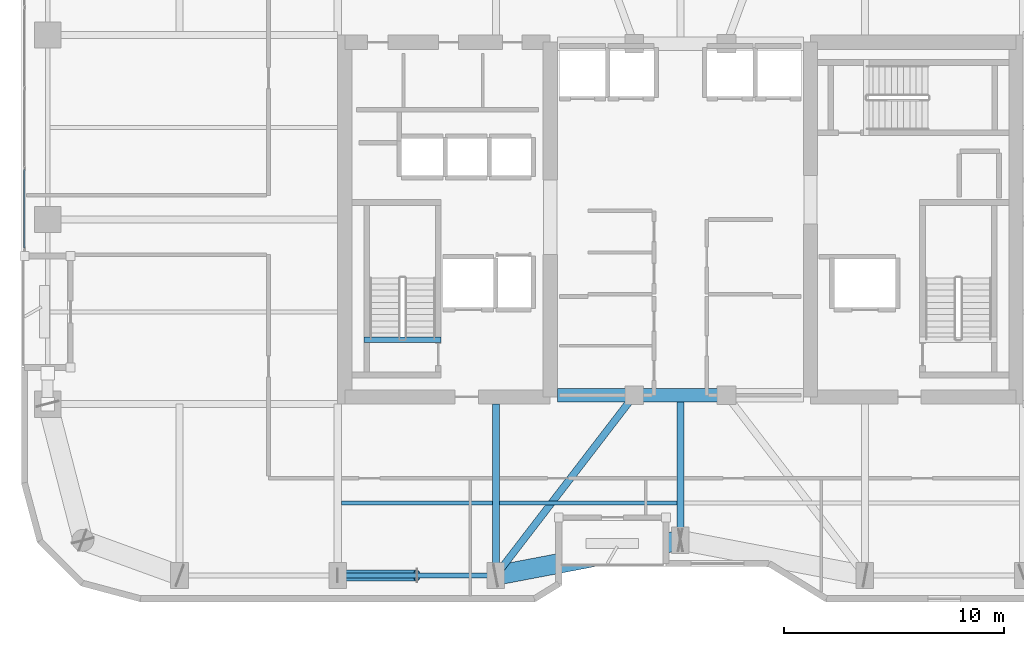
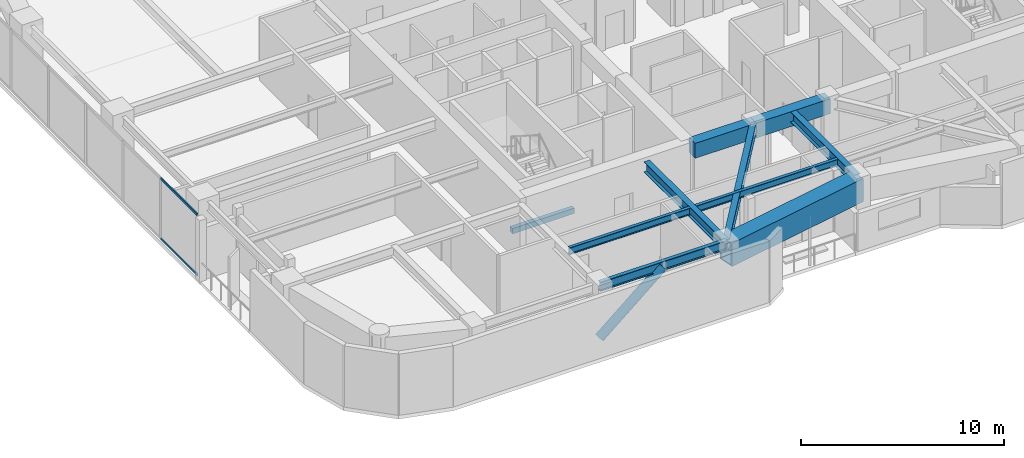
# One storey, part 3 of 30: 10 beams, 3 members, 1 element without a shape of its own.
"""IFC4 building model written with IfcOpenShell, lengths in metres."""

from ifc_helpers import new_model, si_unit, direction, frame, origin, origin_2d, place, context, subcontext, project, spatial, rectangle, hollow_rectangle, hollow_circle, i_section, extrude, material, layer, layer_set, material_profile, profile_set, type_object, element, aggregate, save


model = new_model("IFC4")

# Units and contexts
model_context = context("Model", 3, precision=1e-05, world=origin(), true_north=direction((0.0, 1.0)))
body_context = subcontext(model_context, "Body", "Model", "MODEL_VIEW")
ifc_project = project(units=[si_unit("LENGTHUNIT", "METRE"), si_unit("AREAUNIT", "SQUARE_METRE"), si_unit("VOLUMEUNIT", "CUBIC_METRE"), si_unit("PLANEANGLEUNIT", "RADIAN"), si_unit("MASSUNIT", "GRAM", prefix="KILO")], contexts=[model_context])

# Site, building, storey
site_placement = place(None, origin())
site = spatial("IfcSite", under=ifc_project, at=site_placement, CompositionType="ELEMENT")
building_placement = place(site_placement, origin())
building = spatial("IfcBuilding", under=site, at=building_placement, Name="Kiyonajd Concourse Tower", CompositionType="ELEMENT")
storey_placement = place(building_placement, frame((0.0, 0.0, 198.0)))
storey = spatial("IfcBuildingStorey", under=building, at=storey_placement, Name="L50", CompositionType="ELEMENT", Elevation=198.0)

# Beams
ifc_material_1 = material(Name="Concrete C60/75", Category="concrete")
ifc_material_profile_1 = material_profile(ifc_material_1, rectangle(XDim=0.60009765625, YDim=0.89990234375, at=origin_2d()), Name="RCBM-600x900")
ifc_profile_set_1 = profile_set([ifc_material_profile_1], Name="Concrete C60/75")
beam_type_1 = type_object("IfcBeamType", Name="BM-COUP-900", PredefinedType="LINTEL", material=ifc_profile_set_1)
beam_1_placement = place(storey_placement, frame((42.39990234375, 28.0, 3.22998046875), z_axis=(1.0, 0.0, 0.0), x_axis=(0.0, 1.0, 0.0)))
element("IfcBeam", 1, at=beam_1_placement, inside=storey, type_object=beam_type_1, Name="L50 Core Coupling Beam S1", PredefinedType="LINTEL", context=body_context, shape_type="SweptSolid", body=[
    extrude(rectangle(XDim=0.60009765625, YDim=0.89990234375, at=origin_2d()), origin(), (0.0, 0.0, 1.0), 3.5),
])
beam_2_placement = place(storey_placement, frame((45.89990234375, 28.0, 3.22998046875), z_axis=(1.0, 0.0, 0.0), x_axis=(0.0, 1.0, 0.0)))
element("IfcBeam", 2, at=beam_2_placement, inside=storey, type_object=beam_type_1, Name="L50 Core Coupling Beam S2", PredefinedType="LINTEL", context=body_context, shape_type="SweptSolid", body=[
    extrude(rectangle(XDim=0.60009765625, YDim=0.89990234375, at=origin_2d()), origin(), (0.0, 0.0, 1.0), 4.2001953125),
])
ifc_material_2 = material(Name="Steel ASTM A992 Grade 50", Category="steel")
ifc_material_profile_2 = material_profile(ifc_material_2, i_section(OverallWidth=0.180908203125, OverallDepth=0.4169921875, WebThickness=0.010986328125, FlangeThickness=0.018310546875, at=origin_2d()), Name="W410X85")
ifc_profile_set_2 = profile_set([ifc_material_profile_2], Name="Steel ASTM A992 Grade 50")
beam_type_2 = type_object("IfcBeamType", Name="BM-JST-410", PredefinedType="JOIST", material=ifc_profile_set_2)
beam_3_placement = place(storey_placement, frame((32.5634765625, 23.10009765625, 3.471435546875), z_axis=(1.0, 0.0, 0.0), x_axis=(0.0, 1.0, 0.0)))
element("IfcBeam", 3, at=beam_3_placement, inside=storey, type_object=beam_type_2, Name="L50 Secondary Floor Joist", PredefinedType="JOIST", context=body_context, shape_type="SweptSolid", body=[
    extrude(i_section(OverallWidth=0.180908203125, OverallDepth=0.4169921875, WebThickness=0.010986328125, FlangeThickness=0.018310546875, at=origin_2d()), origin(), (0.0, 0.0, 1.0), 6.873046875),
])
beam_4_placement = place(storey_placement, frame((39.763427734375, 23.10009765625, 3.471435546875), z_axis=(1.0, 0.0, 0.0), x_axis=(0.0, 1.0, 0.0)))
element("IfcBeam", 4, at=beam_4_placement, inside=storey, type_object=beam_type_2, Name="L50 Secondary Floor Joist", PredefinedType="JOIST", context=body_context, shape_type="SweptSolid", body=[
    extrude(i_section(OverallWidth=0.180908203125, OverallDepth=0.4169921875, WebThickness=0.010986328125, FlangeThickness=0.018310546875, at=origin_2d()), origin(), (0.0, 0.0, 1.0), 8.072998046875),
])
ifc_material_3 = material(Name="Concrete C50/60", Category="concrete")
ifc_material_profile_3 = material_profile(ifc_material_3, rectangle(XDim=0.239990234375, YDim=0.320068359375, at=origin_2d()), Name="RCBM-240x320")
ifc_profile_set_3 = profile_set([ifc_material_profile_3], Name="Concrete C50/60")
beam_type_3 = type_object("IfcBeamType", Name="BM-LNT-250", PredefinedType="LINTEL", material=ifc_profile_set_3)
beam_5_placement = place(storey_placement, frame((33.590087890625, 30.530029296875, -0.159912109375), z_axis=(1.0, 0.0, 0.0), x_axis=(0.0, 1.0, 0.0)))
element("IfcBeam", 5, at=beam_5_placement, inside=storey, type_object=beam_type_3, Name="L50 Stair ST1 Threshold Support Beam", PredefinedType="LINTEL", context=body_context, shape_type="SweptSolid", body=[
    extrude(rectangle(XDim=0.239990234375, YDim=0.320068359375, at=origin_2d()), origin(), (0.0, 0.0, 1.0), 3.52001953125),
])
ifc_material_profile_4 = material_profile(ifc_material_2, i_section(OverallWidth=0.214111328125, OverallDepth=0.549072265625, WebThickness=0.0146484375, FlangeThickness=0.023681640625, at=origin_2d()), Name="W530X138")
ifc_profile_set_4 = profile_set([ifc_material_profile_4], Name="Steel ASTM A992 Grade 50")
beam_type_4 = type_object("IfcBeamType", Name="BM-SPAN-530A", PredefinedType="SPANDREL", material=ifc_profile_set_4)
beam_6_placement = place(storey_placement, frame((32.39990234375, 19.800048828125, 3.405517578125), z_axis=(1.0, 0.0, 0.0), x_axis=(0.0, 1.0, 0.0)))
element("IfcBeam", 6, at=beam_6_placement, inside=storey, type_object=beam_type_4, Name="L50 Perimeter Bundled Tube Spandrel", PredefinedType="SPANDREL", context=body_context, shape_type="SweptSolid", body=[
    extrude(i_section(OverallWidth=0.214111328125, OverallDepth=0.549072265625, WebThickness=0.0146484375, FlangeThickness=0.023681640625, at=origin_2d()), origin(), (0.0, 0.0, 1.0), 7.2001953125),
])
ifc_material_profile_5 = material_profile(ifc_material_2, i_section(OverallWidth=0.326904296875, OverallDepth=0.6220703125, WebThickness=0.015380859375, FlangeThickness=0.0244140625, at=origin_2d()), Name="W610X195")
ifc_profile_set_5 = profile_set([ifc_material_profile_5], Name="Steel ASTM A992 Grade 50")
beam_type_5 = type_object("IfcBeamType", Name="BM-TWR-610A", PredefinedType="BEAM", material=ifc_profile_set_5)
beam_7_placement = place(storey_placement, frame((39.60009765625, 19.800048828125, 3.368896484375), z_axis=(0.609233709922, 0.792990722956, 0.0), x_axis=(-0.792990722956, 0.609233709922, 0.0)))
element("IfcBeam", 7, at=beam_7_placement, inside=storey, type_object=beam_type_5, Name="L50 Core Tie Girder", PredefinedType="BEAM", context=body_context, shape_type="SweptSolid", body=[
    extrude(i_section(OverallWidth=0.326904296875, OverallDepth=0.6220703125, WebThickness=0.015380859375, FlangeThickness=0.0244140625, at=origin_2d()), origin(), (0.0, 0.0, 1.0), 10.340576171875),
])
beam_8_placement = place(storey_placement, frame((39.60009765625, 19.800048828125, 3.368896484375), z_axis=(0.0, 1.0, 0.0), x_axis=(-1.0, 0.0, 0.0)))
element("IfcBeam", 8, at=beam_8_placement, inside=storey, type_object=beam_type_5, Name="L50 South Lease Girder", PredefinedType="BEAM", context=body_context, shape_type="SweptSolid", body=[
    extrude(i_section(OverallWidth=0.326904296875, OverallDepth=0.6220703125, WebThickness=0.015380859375, FlangeThickness=0.0244140625, at=origin_2d()), origin(), (0.0, 0.0, 1.0), 7.800048828125),
])
beam_9_placement = place(storey_placement, frame((48.0, 21.39990234375, 3.368896484375), z_axis=(0.0, 1.0, 0.0), x_axis=(-1.0, 0.0, 0.0)))
element("IfcBeam", 9, at=beam_9_placement, inside=storey, type_object=beam_type_5, Name="L50 South Ribbon Girder", PredefinedType="BEAM", context=body_context, shape_type="SweptSolid", body=[
    extrude(i_section(OverallWidth=0.326904296875, OverallDepth=0.6220703125, WebThickness=0.015380859375, FlangeThickness=0.0244140625, at=origin_2d()), origin(), (0.0, 0.0, 1.0), 6.60009765625),
])
ifc_material_4 = material(Name="Steel ASTM A572 Grade 50", Category="steel")
ifc_material_profile_6 = material_profile(ifc_material_4, hollow_rectangle(XDim=0.89990234375, YDim=1.39990234375, WallThickness=0.070068359375, at=origin_2d()), Name="BOX-1400x900x70")
ifc_profile_set_6 = profile_set([ifc_material_profile_6], Name="Steel ASTM A572 Grade 50")
beam_type_6 = type_object("IfcBeamType", Name="BM-XFER-1400", PredefinedType="BEAM", material=ifc_profile_set_6)
beam_10_placement = place(storey_placement, frame((39.60009765625, 19.800048828125, 2.97998046875), z_axis=(0.982341315253, 0.187097675953, 0.0), x_axis=(-0.187097675953, 0.982341315253, 0.0)))
element("IfcBeam", 10, at=beam_10_placement, inside=storey, type_object=beam_type_6, Name="L50 Perimeter Bundled Tube Spandrel", PredefinedType="BEAM", context=body_context, shape_type="SweptSolid", body=[
    extrude(hollow_rectangle(XDim=0.89990234375, YDim=1.39990234375, WallThickness=0.070068359375, at=origin_2d()), origin(), (0.0, 0.0, 1.0), 8.55078125),
])

# Curtain wall, members
ifc_material_5 = material(Name="Thermally Broken Anodised Aluminium", Category="aluminium")
ifc_layer = layer(ifc_material_5, 0.179931640625)
ifc_layer_set = layer_set([ifc_layer], Name="Thermally Broken Anodised Aluminium")
curtain_wall_type = type_object("IfcCurtainWallType", Name="CW-SYS-03", PredefinedType="NOTDEFINED", material=ifc_layer_set)
curtain_wall_placement = place(storey_placement, origin())
curtain_wall = element("IfcCurtainWall", 11, at=curtain_wall_placement, inside=storey, type_object=curtain_wall_type, Name="L50 Unitised Curtain Wall CW3", PredefinedType="NOTDEFINED")
ifc_material_profile_7 = material_profile(ifc_material_5, hollow_rectangle(XDim=0.06494140625, YDim=0.139892578125, WallThickness=0.00390625, at=origin_2d()), Name="TRAN-65x140")
ifc_profile_set_7 = profile_set([ifc_material_profile_7], Name="Thermally Broken Anodised Aluminium")
member_type_1 = type_object("IfcMemberType", Name="MB-CW-TRAN1", PredefinedType="USERDEFINED", material=ifc_profile_set_7)
member_1_placement = place(storey_placement, frame((18.139892578125, 34.695068359375, 0.032470703125), z_axis=(0.0, 1.0, 0.0), x_axis=(-1.0, 0.0, 0.0)))
member_1 = element("IfcMember", 12, at=member_1_placement, type_object=member_type_1, Name="CW3 transom 1.1", ObjectType="TRANSOM", PredefinedType="USERDEFINED", context=body_context, shape_type="SweptSolid", body=[
    extrude(hollow_rectangle(XDim=0.06494140625, YDim=0.139892578125, WallThickness=0.00390625, at=origin_2d()), origin(), (0.0, 0.0, 1.0), 3.579345703125),
])
member_2_placement = place(storey_placement, frame((18.139892578125, 34.695068359375, 3.6474609375), z_axis=(0.0, 1.0, 0.0), x_axis=(-1.0, 0.0, 0.0)))
member_2 = element("IfcMember", 13, at=member_2_placement, type_object=member_type_1, Name="CW3 transom 1.2", ObjectType="TRANSOM", PredefinedType="USERDEFINED", context=body_context, shape_type="SweptSolid", body=[
    extrude(hollow_rectangle(XDim=0.06494140625, YDim=0.139892578125, WallThickness=0.00390625, at=origin_2d()), origin(), (0.0, 0.0, 1.0), 3.579345703125),
])
aggregate(curtain_wall, [member_1, member_2])

# Member
ifc_material_6 = material(Name="Steel ASTM A500 Grade C", Category="steel")
ifc_material_profile_8 = material_profile(ifc_material_6, hollow_circle(Radius=0.25390625, WallThickness=0.02197265625, at=origin_2d()), Name="CHS-508x22")
ifc_profile_set_8 = profile_set([ifc_material_profile_8], Name="Steel ASTM A500 Grade C")
member_type_2 = type_object("IfcMemberType", Name="MB-PB-MID", PredefinedType="BRACE", material=ifc_profile_set_8)
member_3_placement = place(storey_placement, frame((32.39990234375, 19.800048828125, 0.300048828125), z_axis=(0.765082043761, 0.0, 0.643932811957), x_axis=(0.0, 1.0, 0.0)))
element("IfcMember", 14, at=member_3_placement, inside=storey, type_object=member_type_2, Name="L50 Upper Zone Hollow Tube Brace PBS", PredefinedType="BRACE", context=body_context, shape_type="SweptSolid", body=[
    extrude(hollow_circle(Radius=0.25390625, WallThickness=0.02197265625, at=origin_2d()), origin(), (0.0, 0.0, 1.0), 4.70556640625),
])

save(model, "model.ifc")
